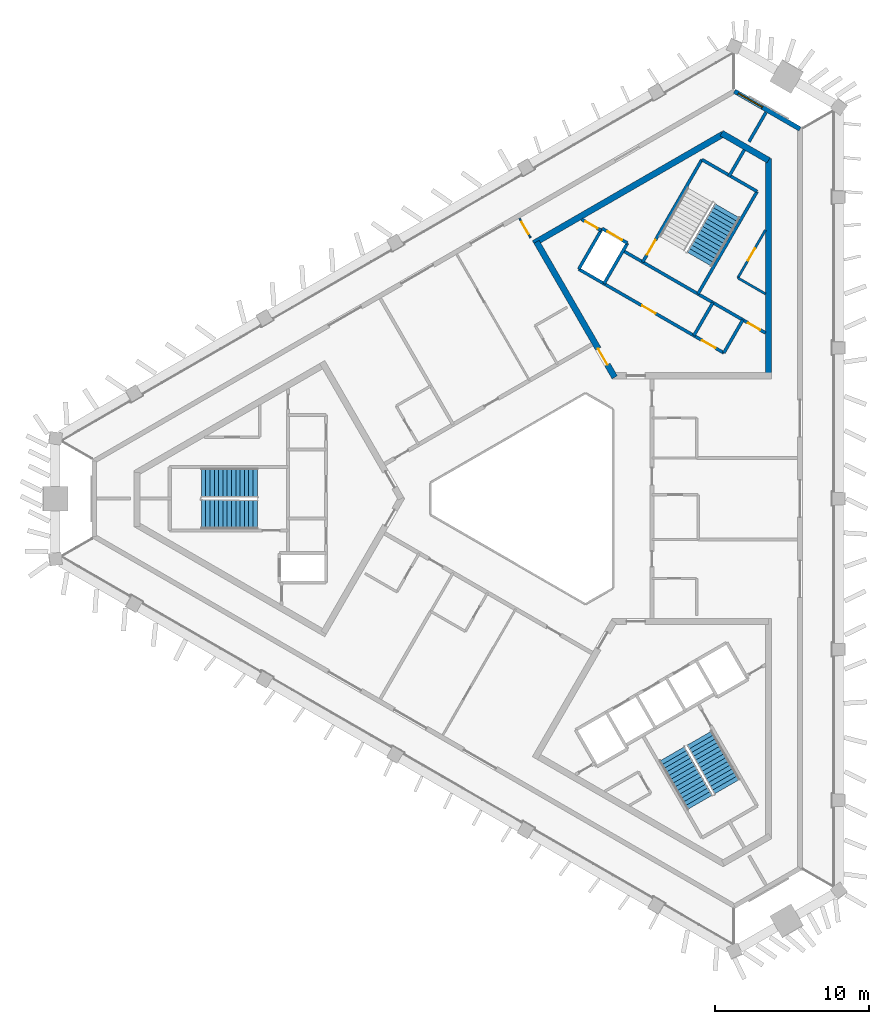
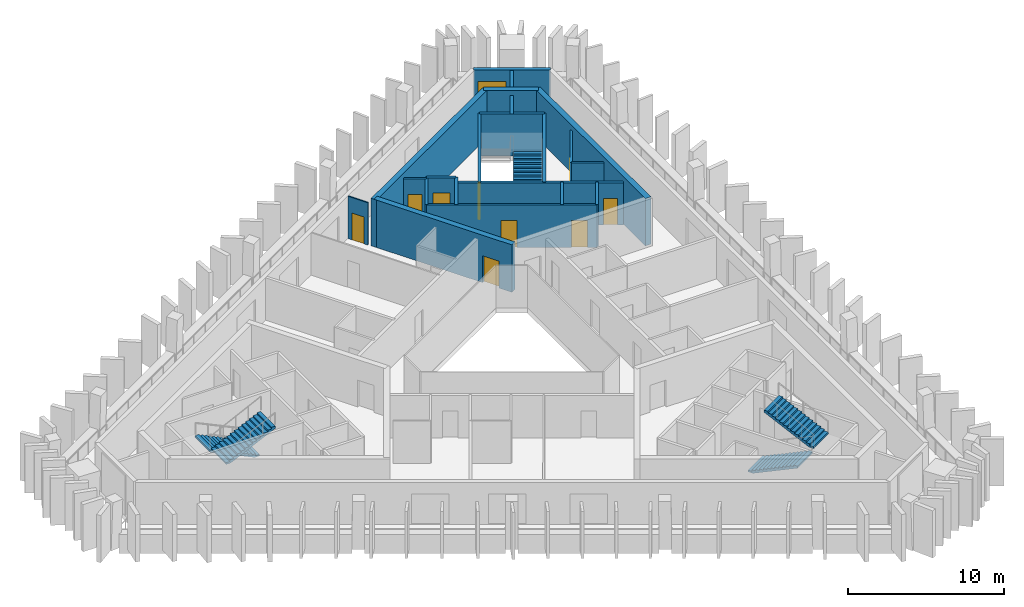
# One storey, part 5 of 10: 21 walls, 9 doors, 5 stair flights, 1 window, 10 openings, 3 elements without a shape of their own.
"""IFC4 building model written with IfcOpenShell, lengths in metres."""

from ifc_helpers import new_model, si_unit, direction, frame, frame_2d, origin, place, context, subcontext, project, spatial, polyline, rectangle, outline, extrude, material, layer, layer_set, type_object, element, fill, aggregate, save


model = new_model("IFC4")

# Units and contexts
model_context = context("Model", 3, precision=1e-05, world=origin(), true_north=direction((0.0, 1.0)))
body_context = subcontext(model_context, "Body", "Model", "MODEL_VIEW")
ifc_project = project(units=[si_unit("LENGTHUNIT", "METRE"), si_unit("AREAUNIT", "SQUARE_METRE"), si_unit("VOLUMEUNIT", "CUBIC_METRE"), si_unit("PLANEANGLEUNIT", "RADIAN"), si_unit("MASSUNIT", "GRAM", prefix="KILO")], contexts=[model_context])

# Site, building, storey
site_placement = place(None, origin())
site = spatial("IfcSite", under=ifc_project, at=site_placement, CompositionType="ELEMENT")
building_placement = place(site_placement, origin())
building = spatial("IfcBuilding", under=site, at=building_placement, Name="Jabali Bay Hotel Tower and Convention Centre", CompositionType="ELEMENT")
storey_placement = place(building_placement, frame((0.0, 0.0, 266.39990234375)))
storey = spatial("IfcBuildingStorey", under=building, at=storey_placement, Name="L65", CompositionType="ELEMENT", Elevation=266.39990234375)

# Wall
ifc_material_1 = material(Name="Concrete C40", Category="concrete")
ifc_layer_1 = layer(ifc_material_1, 0.199951171875)
ifc_layer_set_1 = layer_set([ifc_layer_1], Name="Concrete C40")
wall_type_1 = type_object("IfcWallType", Name="Core partition wall 200", PredefinedType="PARTITIONING", material=ifc_layer_set_1)
wall_1_placement = place(storey_placement, frame((87.090087890625, 100.9404296875, 0.0), z_axis=(0.0, 0.0, 1.0), x_axis=(0.499941815747, 0.866058993873, 0.0)))
element("IfcWall", 1, at=wall_1_placement, inside=storey, type_object=wall_type_1, Name="Core wall 1.4 L65", PredefinedType="PARTITIONING", context=body_context, shape_type="SweptSolid", body=[
    extrude(rectangle(XDim=2.023193359375, YDim=0.199951171875, at=frame_2d((1.01171875, 0.0))), origin(), (0.0, 0.0, 1.0), 3.300048828125),
])

# Wall, opening, door
wall_2_placement = place(storey_placement, frame((78.7802734375, 97.447509765625, 0.0), z_axis=(0.0, 0.0, 1.0), x_axis=(-0.866045896294, 0.499964504253, 0.0)))
wall_2 = element("IfcWall", 2, at=wall_2_placement, inside=storey, type_object=wall_type_1, Name="Core wall 1.10 L65", PredefinedType="PARTITIONING", context=body_context, shape_type="SweptSolid", body=[
    extrude(rectangle(XDim=1.455078125, YDim=0.199951171875, at=frame_2d((0.7275390625, 0.0))), origin(), (0.0, 0.0, 1.0), 3.300048828125),
])
opening_1_placement = place(wall_2_placement, frame((0.277587890625, 0.0, 0.0)))
opening_1 = element("IfcOpeningElement", 3, at=opening_1_placement, cuts=wall_2, Name="Opening D1435", PredefinedType="OPENING", context=body_context, shape_type="SweptSolid", body=[
    extrude(rectangle(XDim=0.89990234375, YDim=2.10009765625, at=frame_2d((0.449951171875, 1.050048828125))), frame((0.0, 0.1103515625, 0.0), z_axis=(0.0, -1.0, 0.0), x_axis=(1.0, 0.0, 0.0)), (0.0, 0.0, 1.0), 0.220947265625),
])
ifc_material_2 = material(Name="Fire-rated steel door", Category="steel")
door_type_1 = type_object("IfcDoorType", Name="Vestibule fire door 900 x 2100", OperationType="NOTDEFINED", PredefinedType="NOTDEFINED", material=ifc_material_2)
door_1_placement = place(opening_1_placement, origin())
door_1 = element("IfcDoor", 4, at=door_1_placement, inside=storey, type_object=door_type_1, Name="Vestibule fire door D1435", OperationType="SINGLE_SWING_LEFT", OverallHeight=2.10009765625, OverallWidth=0.89990234375, PredefinedType="NOTDEFINED", context=body_context, shape_type="SweptSolid", body=[
    extrude(rectangle(XDim=0.89990234375, YDim=2.10009765625, at=frame_2d((0.449951171875, 1.050048828125))), frame((0.0, 0.02490234375, 0.0), z_axis=(0.0, -1.0, 0.0), x_axis=(1.0, 0.0, 0.0)), (0.0, 0.0, 1.0), 0.050048828125),
])
fill(opening_1, door_1)

ifc_material_3 = material(Name="Fire-rated board partition")
ifc_layer_2 = layer(ifc_material_3, 0.14990234375)
ifc_layer_set_2 = layer_set([ifc_layer_2], Name="Fire-rated board partition")
wall_type_2 = type_object("IfcWallType", Name="Core room partition 150", PredefinedType="PARTITIONING", material=ifc_layer_set_2)
wall_3_placement = place(storey_placement, frame((87.680908203125, 94.364013671875, 0.0), z_axis=(0.0, 0.0, 1.0), x_axis=(0.500014173611, 0.866017220491, 0.0)))
wall_3 = element("IfcWall", 5, at=wall_3_placement, inside=storey, type_object=wall_type_2, Name="Core wall 1.1 L65", PredefinedType="PARTITIONING", context=body_context, shape_type="SweptSolid", body=[
    extrude(rectangle(XDim=3.59814453125, YDim=0.14990234375, at=frame_2d((1.799072265625, 0.0))), origin(), (0.0, 0.0, 1.0), 3.300048828125),
])
opening_2_placement = place(wall_3_placement, frame((1.321533203125, 0.0, 0.0)))
opening_2 = element("IfcOpeningElement", 6, at=opening_2_placement, cuts=wall_3, Name="Opening D1438", PredefinedType="OPENING", context=body_context, shape_type="SweptSolid", body=[
    extrude(rectangle(XDim=0.89990234375, YDim=2.10009765625, at=frame_2d((0.449951171875, 1.050048828125))), frame((0.0, 0.08544921875, 0.0), z_axis=(0.0, -1.0, 0.0), x_axis=(1.0, 0.0, 0.0)), (0.0, 0.0, 1.0), 0.1708984375),
])
door_type_2 = type_object("IfcDoorType", Name="Core room door 900 x 2100", OperationType="NOTDEFINED", PredefinedType="NOTDEFINED", material=ifc_material_2)
door_2_placement = place(opening_2_placement, origin())
door_2 = element("IfcDoor", 7, at=door_2_placement, inside=storey, type_object=door_type_2, Name="Core room door D1438", OperationType="SINGLE_SWING_LEFT", OverallHeight=2.10009765625, OverallWidth=0.89990234375, PredefinedType="NOTDEFINED", context=body_context, shape_type="SweptSolid", body=[
    extrude(rectangle(XDim=0.89990234375, YDim=2.10009765625, at=frame_2d((0.449951171875, 1.050048828125))), frame((0.0, 0.02490234375, 0.0), z_axis=(0.0, -1.0, 0.0), x_axis=(1.0, 0.0, 0.0)), (0.0, 0.0, 1.0), 0.050048828125),
])
fill(opening_2, door_2)

# Walls
wall_4_placement = place(storey_placement, frame((89.47998046875, 93.3251953125, 0.0), z_axis=(0.0, 0.0, 1.0), x_axis=(-0.865999660441, 0.500044586128, 0.0)))
element("IfcWall", 8, at=wall_4_placement, inside=storey, type_object=wall_type_2, Name="Core wall 1.12 L65", PredefinedType="PARTITIONING", context=body_context, shape_type="SweptSolid", body=[
    extrude(rectangle(XDim=2.077392578125, YDim=0.14990234375, at=frame_2d((1.03857421875, 0.0))), origin(), (0.0, 0.0, 1.0), 3.300048828125),
])
ifc_layer_3 = layer(ifc_material_1, 0.199951171875)
ifc_layer_set_3 = layer_set([ifc_layer_3], Name="Concrete C40")
wall_type_3 = type_object("IfcWallType", Name="Core stair wall 200", PredefinedType="SOLIDWALL", material=ifc_layer_set_3)
for number, where, z_axis, x_axis, name in (
    (9, (86.769775390625, 89.48583984375, 0.0), (0.0, 0.0, 1.0), (0.499961042966, 0.86604789447, 0.0), "Core wall 1.0 L65"),
    (10, (84.8212890625, 90.61083984375, 0.0), (0.0, 0.0, 1.0), (0.499961042966, 0.86604789447, 0.0), "Core wall 1.2 L65"),
):
    element("IfcWall", number, at=place(storey_placement, frame(where, z_axis=z_axis, x_axis=x_axis)), inside=storey, type_object=wall_type_3, Name=name, PredefinedType="SOLIDWALL", context=body_context, shape_type="SweptSolid", body=[
        extrude(rectangle(XDim=2.480224609375, YDim=0.199951171875, at=frame_2d((1.240234375, 0.0))), origin(), (0.0, 0.0, 1.0), 3.300048828125),
    ])
wall_5_placement = place(storey_placement, frame((85.0869140625, 93.3212890625, 0.0), z_axis=(0.0, 0.0, 1.0), x_axis=(0.500019787375, 0.866013979237, 0.0)))
element("IfcWall", 11, at=wall_5_placement, inside=storey, type_object=wall_type_3, Name="Core wall 1.3 L65", PredefinedType="SOLIDWALL", context=body_context, shape_type="SweptSolid", body=[
    extrude(rectangle(XDim=7.699951171875, YDim=0.199951171875, at=frame_2d((3.85009765625, 0.0))), origin(), (0.0, 0.0, 1.0), 3.300048828125),
])

# Wall, opening, door
wall_6_placement = place(storey_placement, frame((81.492919921875, 95.396240234375, 0.0), z_axis=(0.0, 0.0, 1.0), x_axis=(0.500006057782, 0.866021906294, 0.0)))
wall_6 = element("IfcWall", 12, at=wall_6_placement, inside=storey, type_object=wall_type_3, Name="Core wall 1.5 L65", PredefinedType="SOLIDWALL", context=body_context, shape_type="SweptSolid", body=[
    extrude(rectangle(XDim=7.7001953125, YDim=0.199951171875, at=frame_2d((3.85009765625, 0.0))), origin(), (0.0, 0.0, 1.0), 3.300048828125),
])
opening_3_placement = place(wall_6_placement, frame((0.550048828125, 0.0, 0.0)))
opening_3 = element("IfcOpeningElement", 13, at=opening_3_placement, cuts=wall_6, Name="Opening D1437", PredefinedType="OPENING", context=body_context, shape_type="SweptSolid", body=[
    extrude(rectangle(XDim=1.10009765625, YDim=2.10009765625, at=frame_2d((0.550048828125, 1.050048828125))), frame((0.0, 0.1103515625, 0.0), z_axis=(0.0, -1.0, 0.0), x_axis=(1.0, 0.0, 0.0)), (0.0, 0.0, 1.0), 0.220947265625),
])
door_type_3 = type_object("IfcDoorType", Name="Stair fire door 1100 x 2100", OperationType="NOTDEFINED", PredefinedType="NOTDEFINED", material=ifc_material_2)
door_3_placement = place(opening_3_placement, origin())
door_3 = element("IfcDoor", 14, at=door_3_placement, inside=storey, type_object=door_type_3, Name="Stair fire door D1437", OperationType="SINGLE_SWING_RIGHT", OverallHeight=2.10009765625, OverallWidth=1.10009765625, PredefinedType="NOTDEFINED", context=body_context, shape_type="SweptSolid", body=[
    extrude(rectangle(XDim=1.10009765625, YDim=2.10009765625, at=frame_2d((0.550048828125, 1.050048828125))), frame((0.0, 0.02490234375, 0.0), z_axis=(0.0, -1.0, 0.0), x_axis=(1.0, 0.0, 0.0)), (0.0, 0.0, 1.0), 0.050048828125),
])
fill(opening_3, door_3)

# Walls
for number, where, z_axis, x_axis, name in (
    (15, (78.9755859375, 93.98583984375, 0.0), (0.0, 0.0, 1.0), (0.499944174705, 0.866057632134, 0.0), "Core wall 1.6 L65"),
    (16, (77.330078125, 94.93603515625, 0.0), (0.0, 0.0, 1.0), (0.500038867431, 0.8660029625, 0.0), "Core wall 1.7 L65"),
):
    element("IfcWall", number, at=place(storey_placement, frame(where, z_axis=z_axis, x_axis=x_axis)), inside=storey, type_object=wall_type_3, Name=name, PredefinedType="SOLIDWALL", context=body_context, shape_type="SweptSolid", body=[
        extrude(rectangle(XDim=3.050048828125, YDim=0.199951171875, at=frame_2d((1.52490234375, 0.0))), origin(), (0.0, 0.0, 1.0), 3.300048828125),
    ])

# Wall, openings, doors
wall_7_placement = place(storey_placement, frame((86.769775390625, 89.48583984375, 0.0), z_axis=(0.0, 0.0, 1.0), x_axis=(-0.86601811187, 0.500012629753, 0.0)))
wall_7 = element("IfcWall", 17, at=wall_7_placement, inside=storey, type_object=wall_type_3, Name="Core wall 1.8 L65", PredefinedType="SOLIDWALL", context=body_context, shape_type="SweptSolid", body=[
    extrude(rectangle(XDim=10.900146484375, YDim=0.199951171875, at=frame_2d((5.4501953125, 0.0))), origin(), (0.0, 0.0, 1.0), 3.300048828125),
])
opening_4_placement = place(wall_7_placement, frame((0.625, 0.0, 0.0)))
opening_4 = element("IfcOpeningElement", 18, at=opening_4_placement, cuts=wall_7, Name="Opening D1433", PredefinedType="OPENING", context=body_context, shape_type="SweptSolid", body=[
    extrude(rectangle(XDim=1.0, YDim=2.10009765625, at=frame_2d((0.5, 1.050048828125))), frame((0.0, 0.1103515625, 0.0), z_axis=(0.0, -1.0, 0.0), x_axis=(1.0, 0.0, 0.0)), (0.0, 0.0, 1.0), 0.220947265625),
])
opening_5_placement = place(wall_7_placement, frame((5.125, 0.0, 0.0)))
opening_5 = element("IfcOpeningElement", 19, at=opening_5_placement, cuts=wall_7, Name="Opening D1434", PredefinedType="OPENING", context=body_context, shape_type="SweptSolid", body=[
    extrude(rectangle(XDim=1.0, YDim=2.10009765625, at=frame_2d((0.5, 1.050048828125))), frame((0.0, 0.1103515625, 0.0), z_axis=(0.0, -1.0, 0.0), x_axis=(1.0, 0.0, 0.0)), (0.0, 0.0, 1.0), 0.220947265625),
])
door_type_4 = type_object("IfcDoorType", Name="Core room door 1000 x 2100", OperationType="NOTDEFINED", PredefinedType="NOTDEFINED", material=ifc_material_2)
door_4_placement = place(opening_4_placement, origin())
door_4 = element("IfcDoor", 20, at=door_4_placement, inside=storey, type_object=door_type_4, Name="Core room door D1433", OperationType="SINGLE_SWING_RIGHT", OverallHeight=2.10009765625, OverallWidth=1.0, PredefinedType="NOTDEFINED", context=body_context, shape_type="SweptSolid", body=[
    extrude(rectangle(XDim=1.0, YDim=2.10009765625, at=frame_2d((0.5, 1.050048828125))), frame((0.0, 0.02490234375, 0.0), z_axis=(0.0, -1.0, 0.0), x_axis=(1.0, 0.0, 0.0)), (0.0, 0.0, 1.0), 0.050048828125),
])
fill(opening_4, door_4)
door_5_placement = place(opening_5_placement, origin())
door_5 = element("IfcDoor", 21, at=door_5_placement, inside=storey, type_object=door_type_4, Name="Core room door D1434", OperationType="SINGLE_SWING_RIGHT", OverallHeight=2.10009765625, OverallWidth=1.0, PredefinedType="NOTDEFINED", context=body_context, shape_type="SweptSolid", body=[
    extrude(rectangle(XDim=1.0, YDim=2.10009765625, at=frame_2d((0.5, 1.050048828125))), frame((0.0, 0.02490234375, 0.0), z_axis=(0.0, -1.0, 0.0), x_axis=(1.0, 0.0, 0.0)), (0.0, 0.0, 1.0), 0.050048828125),
])
fill(opening_5, door_5)

# Wall, opening, door
wall_8_placement = place(storey_placement, frame((89.47998046875, 90.784912109375, 0.0), z_axis=(0.0, 0.0, 1.0), x_axis=(-0.866022544512, 0.500004952373, 0.0)))
wall_8 = element("IfcWall", 22, at=wall_8_placement, inside=storey, type_object=wall_type_3, Name="Core wall 1.9 L65", PredefinedType="SOLIDWALL", context=body_context, shape_type="SweptSolid", body=[
    extrude(rectangle(XDim=10.69775390625, YDim=0.199951171875, at=frame_2d((5.348876953125, 0.0))), origin(), (0.0, 0.0, 1.0), 3.300048828125),
])
opening_6_placement = place(wall_8_placement, frame((0.398681640625, 0.0, 0.0)))
opening_6 = element("IfcOpeningElement", 23, at=opening_6_placement, cuts=wall_8, Name="Opening D1436", PredefinedType="OPENING", context=body_context, shape_type="SweptSolid", body=[
    extrude(rectangle(XDim=0.89990234375, YDim=2.10009765625, at=frame_2d((0.449951171875, 1.050048828125))), frame((0.0, 0.1103515625, 0.0), z_axis=(0.0, -1.0, 0.0), x_axis=(1.0, 0.0, 0.0)), (0.0, 0.0, 1.0), 0.220947265625),
])
door_6_placement = place(opening_6_placement, origin())
door_6 = element("IfcDoor", 24, at=door_6_placement, inside=storey, type_object=door_type_1, Name="Vestibule fire door D1436", OperationType="SINGLE_SWING_LEFT", OverallHeight=2.10009765625, OverallWidth=0.89990234375, PredefinedType="NOTDEFINED", context=body_context, shape_type="SweptSolid", body=[
    extrude(rectangle(XDim=0.89990234375, YDim=2.10009765625, at=frame_2d((0.449951171875, 1.050048828125))), frame((0.0, 0.02490234375, 0.0), z_axis=(0.0, -1.0, 0.0), x_axis=(1.0, 0.0, 0.0)), (0.0, 0.0, 1.0), 0.050048828125),
])
fill(opening_6, door_6)

wall_9_placement = place(storey_placement, frame((80.50048828125, 96.62744140625, 0.0), z_axis=(0.0, 0.0, 1.0), x_axis=(-0.86601224135, 0.500022797313, 0.0)))
wall_9 = element("IfcWall", 25, at=wall_9_placement, inside=storey, type_object=wall_type_3, Name="Core wall 1.11 L65", PredefinedType="SOLIDWALL", context=body_context, shape_type="SweptSolid", body=[
    extrude(rectangle(XDim=1.89990234375, YDim=0.199951171875, at=frame_2d((0.949951171875, 0.0))), origin(), (0.0, 0.0, 1.0), 3.300048828125),
])
opening_7_placement = place(wall_9_placement, frame((0.39990234375, 0.0, 0.0)))
opening_7 = element("IfcOpeningElement", 26, at=opening_7_placement, cuts=wall_9, Name="Opening LD10-L65", PredefinedType="OPENING", context=body_context, shape_type="SweptSolid", body=[
    extrude(rectangle(XDim=1.10009765625, YDim=2.10009765625, at=frame_2d((0.550048828125, 1.050048828125))), frame((0.0, 0.1103515625, 0.0), z_axis=(0.0, -1.0, 0.0), x_axis=(1.0, 0.0, 0.0)), (0.0, 0.0, 1.0), 0.220947265625),
])
ifc_material_4 = material(Name="Stainless steel landing door", Category="steel")
door_type_5 = type_object("IfcDoorType", Name="Landing door 1100 x 2100", OperationType="NOTDEFINED", PredefinedType="NOTDEFINED", material=ifc_material_4)
door_7_placement = place(opening_7_placement, origin())
door_7 = element("IfcDoor", 27, at=door_7_placement, inside=storey, type_object=door_type_5, Name="Landing doors LD10-L65", OperationType="SLIDING_TO_RIGHT", OverallHeight=2.10009765625, OverallWidth=1.10009765625, PredefinedType="NOTDEFINED", context=body_context, shape_type="SweptSolid", body=[
    extrude(rectangle(XDim=1.10009765625, YDim=2.10009765625, at=frame_2d((0.550048828125, 1.050048828125))), frame((0.0, 0.02490234375, 0.0), z_axis=(0.0, -1.0, 0.0), x_axis=(1.0, 0.0, 0.0)), (0.0, 0.0, 1.0), 0.050048828125),
])
fill(opening_7, door_7)

# Walls
wall_10_placement = place(storey_placement, frame((88.93701171875, 99.989501953125, 0.0), z_axis=(0.0, 0.0, 1.0), x_axis=(-0.866004344652, 0.500036473714, 0.0)))
element("IfcWall", 28, at=wall_10_placement, inside=storey, type_object=wall_type_3, Name="Core wall 1.13 L65", PredefinedType="SOLIDWALL", context=body_context, shape_type="SweptSolid", body=[
    extrude(rectangle(XDim=4.150146484375, YDim=0.199951171875, at=frame_2d((2.0751953125, 0.0))), origin(), (0.0, 0.0, 1.0), 3.300048828125),
])
ifc_material_5 = material(Name="Concrete C60", Category="concrete")
ifc_layer_4 = layer(ifc_material_5, 0.39990234375)
ifc_layer_set_4 = layer_set([ifc_layer_4], Name="Concrete C60")
wall_type_4 = type_object("IfcWallType", Name="Core wall 400", PredefinedType="SHEAR", material=ifc_layer_set_4)
wall_11_placement = place(storey_placement, frame((89.679931640625, 87.994140625, 0.0), z_axis=(0.0, 0.0, 1.0), x_axis=(0.0, 1.0, 0.0)))
element("IfcWall", 29, at=wall_11_placement, inside=storey, type_object=wall_type_4, Name="Core wall 2.2 L65", PredefinedType="SHEAR", context=body_context, shape_type="SweptSolid", body=[
    extrude(rectangle(XDim=14.133544921875, YDim=0.39990234375, at=frame_2d((7.06689453125, 0.0))), origin(), (0.0, 0.0, 1.0), 3.7001953125),
])
wall_12_placement = place(storey_placement, frame((89.679931640625, 102.01220703125, 0.0), z_axis=(0.0, 0.0, 1.0), x_axis=(-0.866025485263, 0.499999858875, 0.0)))
element("IfcWall", 30, at=wall_12_placement, inside=storey, type_object=wall_type_4, Name="Core wall 2.3 L65", PredefinedType="SHEAR", context=body_context, shape_type="SweptSolid", body=[
    extrude(rectangle(XDim=3.52978515625, YDim=0.39990234375, at=frame_2d((1.764892578125, 0.0))), origin(), (0.0, 0.0, 1.0), 3.7001953125),
])
wall_13_placement = place(storey_placement, frame((86.72314453125, 103.71923828125, 0.0), z_axis=(0.0, 0.0, 1.0), x_axis=(-0.866030317223, -0.499991489579, 0.0)))
element("IfcWall", 31, at=wall_13_placement, inside=storey, type_object=wall_type_4, Name="Core wall 2.4 L65", PredefinedType="SHEAR", context=body_context, shape_type="SweptSolid", body=[
    extrude(rectangle(XDim=14.218017578125, YDim=0.39990234375, at=frame_2d((7.10888671875, 0.0))), origin(), (0.0, 0.0, 1.0), 3.7001953125),
])

# Wall, opening, door
wall_14_placement = place(storey_placement, frame((74.583251953125, 96.71044921875, 0.0), z_axis=(0.0, 0.0, 1.0), x_axis=(0.499987488796, -0.866032627011, 0.0)))
wall_14 = element("IfcWall", 32, at=wall_14_placement, inside=storey, type_object=wall_type_4, Name="Core wall 2.5 L65", PredefinedType="SHEAR", context=body_context, shape_type="SweptSolid", body=[
    extrude(rectangle(XDim=10.179931640625, YDim=0.39990234375, at=frame_2d((5.08984375, 0.0))), origin(), (0.0, 0.0, 1.0), 3.7001953125),
])
opening_8_placement = place(wall_14_placement, frame((8.030029296875, 0.0, 0.0)))
opening_8 = element("IfcOpeningElement", 33, at=opening_8_placement, cuts=wall_14, Name="Opening D1432", PredefinedType="OPENING", context=body_context, shape_type="SweptSolid", body=[
    extrude(rectangle(XDim=1.199951171875, YDim=2.10009765625, at=frame_2d((0.60009765625, 1.050048828125))), frame((0.0, 0.21044921875, 0.0), z_axis=(0.0, -1.0, 0.0), x_axis=(1.0, 0.0, 0.0)), (0.0, 0.0, 1.0), 0.4208984375),
])
door_type_6 = type_object("IfcDoorType", Name="Corridor end fire door 1200 x 2100", OperationType="NOTDEFINED", PredefinedType="NOTDEFINED", material=ifc_material_2)
door_8_placement = place(opening_8_placement, origin())
door_8 = element("IfcDoor", 34, at=door_8_placement, inside=storey, type_object=door_type_6, Name="Corridor end fire door D1432", OperationType="SINGLE_SWING_LEFT", OverallHeight=2.10009765625, OverallWidth=1.199951171875, PredefinedType="NOTDEFINED", context=body_context, shape_type="SweptSolid", body=[
    extrude(rectangle(XDim=1.199951171875, YDim=2.10009765625, at=frame_2d((0.60009765625, 1.050048828125))), frame((0.0, 0.02490234375, 0.0), z_axis=(0.0, -1.0, 0.0), x_axis=(1.0, 0.0, 0.0)), (0.0, 0.0, 1.0), 0.050048828125),
])
fill(opening_8, door_8)

# Wall, opening, window
ifc_layer_5 = layer(ifc_material_1, 0.300048828125)
ifc_layer_set_5 = layer_set([ifc_layer_5], Name="Concrete C40")
wall_type_5 = type_object("IfcWallType", Name="External wall 300", PredefinedType="SOLIDWALL", material=ifc_layer_set_5)
wall_15_placement = place(storey_placement, frame((87.4658203125, 106.51220703125, 0.0), z_axis=(0.0, 0.0, 1.0), x_axis=(0.866039345566, -0.499975851348, 0.0)))
wall_15 = element("IfcWall", 35, at=wall_15_placement, inside=storey, type_object=wall_type_5, Name="External wall north-east chamfer L65", PredefinedType="SOLIDWALL", context=body_context, shape_type="SweptSolid", body=[
    extrude(rectangle(XDim=4.920654296875, YDim=0.300048828125, at=frame_2d((2.46044921875, 0.0))), origin(), (0.0, 0.0, 1.0), 3.300048828125),
])
opening_9_placement = place(wall_15_placement, frame((0.286865234375, 0.0, 0.89990234375)))
opening_9 = element("IfcOpeningElement", 36, at=opening_9_placement, cuts=wall_15, Name="Opening W1", PredefinedType="OPENING", context=body_context, shape_type="SweptSolid", body=[
    extrude(rectangle(XDim=1.800048828125, YDim=1.5, at=frame_2d((0.89990234375, 0.75))), frame((0.0, 0.16064453125, 0.0), z_axis=(0.0, -1.0, 0.0), x_axis=(1.0, 0.0, 0.0)), (0.0, 0.0, 1.0), 0.321044921875),
])
ifc_material_6 = material(Name="Glass", Category="glass")
window_type = type_object("IfcWindowType", Name="Window 1800 x 1500", PartitioningType="SINGLE_PANEL", PredefinedType="WINDOW", material=ifc_material_6)
window_placement = place(opening_9_placement, origin())
window = element("IfcWindow", 37, at=window_placement, inside=storey, type_object=window_type, Name="Window", OverallHeight=1.5, OverallWidth=1.800048828125, PartitioningType="SINGLE_PANEL", PredefinedType="WINDOW", context=body_context, shape_type="SweptSolid", body=[
    extrude(rectangle(XDim=1.800048828125, YDim=1.5, at=frame_2d((0.89990234375, 0.75))), frame((0.0, 0.030029296875, 0.0), z_axis=(0.0, -1.0, 0.0), x_axis=(1.0, 0.0, 0.0)), (0.0, 0.0, 1.0), 0.06005859375),
])
fill(opening_9, window)

# Wall, opening, door
ifc_material_7 = material(Name="Plasterboard on steel stud", Category="steel")
ifc_layer_6 = layer(ifc_material_7, 0.10009765625)
ifc_layer_set_6 = layer_set([ifc_layer_6], Name="Plasterboard on steel stud")
wall_type_6 = type_object("IfcWallType", Name="Partition 100 unit", PredefinedType="PARTITIONING", material=ifc_layer_set_6)
wall_16_placement = place(storey_placement, frame((74.199951171875, 96.97412109375, 0.0), z_axis=(0.0, 0.0, 1.0), x_axis=(-0.499959343224, 0.866048875712, 0.0)))
wall_16 = element("IfcWall", 38, at=wall_16_placement, inside=storey, type_object=wall_type_6, Name="Partition P02 L65 016", PredefinedType="PARTITIONING", context=body_context, shape_type="SweptSolid", body=[
    extrude(rectangle(XDim=1.45703125, YDim=0.10009765625, at=frame_2d((0.728515625, 0.0))), origin(), (0.0, 0.0, 1.0), 3.300048828125),
])
opening_10_placement = place(wall_16_placement, frame((0.279052734375, 0.0, 0.0)))
opening_10 = element("IfcOpeningElement", 39, at=opening_10_placement, cuts=wall_16, Name="Opening 6517", PredefinedType="OPENING", context=body_context, shape_type="SweptSolid", body=[
    extrude(rectangle(XDim=0.89990234375, YDim=2.10009765625, at=frame_2d((0.449951171875, 1.050048828125))), frame((0.0, 0.060546875, 0.0), z_axis=(0.0, -1.0, 0.0), x_axis=(1.0, 0.0, 0.0)), (0.0, 0.0, 1.0), 0.12109375),
])
ifc_material_8 = material(Name="Timber", Category="wood")
door_type_7 = type_object("IfcDoorType", Name="Internal door 900 x 2100", OperationType="NOTDEFINED", PredefinedType="NOTDEFINED", material=ifc_material_8)
door_9_placement = place(opening_10_placement, origin())
door_9 = element("IfcDoor", 40, at=door_9_placement, inside=storey, type_object=door_type_7, Name="Door 6517", OperationType="SINGLE_SWING_RIGHT", OverallHeight=2.10009765625, OverallWidth=0.89990234375, PredefinedType="NOTDEFINED", context=body_context, shape_type="SweptSolid", body=[
    extrude(rectangle(XDim=0.89990234375, YDim=2.10009765625, at=frame_2d((0.449951171875, 1.050048828125))), frame((0.0, 0.02490234375, 0.0), z_axis=(0.0, -1.0, 0.0), x_axis=(1.0, 0.0, 0.0)), (0.0, 0.0, 1.0), 0.050048828125),
])
fill(opening_10, door_9)

# Wall
ifc_layer_7 = layer(ifc_material_7, 0.199951171875)
ifc_layer_set_7 = layer_set([ifc_layer_7], Name="Plasterboard on steel stud")
wall_type_7 = type_object("IfcWallType", Name="Partition 200 party", PredefinedType="PARTITIONING", material=ifc_layer_set_7)
wall_17_placement = place(storey_placement, frame((89.51171875, 105.135009765625, 0.0), z_axis=(0.0, 0.0, 1.0), x_axis=(-0.499981787252, -0.866035918664, 0.0)))
element("IfcWall", 41, at=wall_17_placement, inside=storey, type_object=wall_type_7, Name="Partition P01 L65 012", PredefinedType="PARTITIONING", context=body_context, shape_type="SweptSolid", body=[
    extrude(rectangle(XDim=2.2001953125, YDim=0.199951171875, at=frame_2d((1.10009765625, 0.0))), origin(), (0.0, 0.0, 1.0), 3.300048828125),
])

# Stair, stair flights
stair_type = type_object("IfcStairType", Name="Exit stair 1900", PredefinedType="HALF_TURN_STAIR", material=ifc_material_1)
stair_1_placement = place(storey_placement, origin())
stair_1 = element("IfcStair", 42, at=stair_1_placement, inside=storey, type_object=stair_type, Name="L65 Exit Stair 1", PredefinedType="HALF_TURN_STAIR")
stair_flight_type = type_object("IfcStairFlightType", Name="Stair flight concrete 150", PredefinedType="STRAIGHT", material=ifc_material_1)
stair_flight_1_placement = place(storey_placement, frame((56.419921875, 81.02490234375, 0.0), z_axis=(0.0, 0.0, 1.0), x_axis=(-1.0, 0.0, 0.0)))
stair_flight_1 = element("IfcStairFlight", 43, at=stair_flight_1_placement, type_object=stair_flight_type, Name="ST1 flight 1", NumberOfRisers=14, NumberOfTreads=13, PredefinedType="STRAIGHT", RiserHeight=0.132142857, TreadLength=0.28, context=body_context, shape_type="SweptSolid", body=[
    extrude(outline(polyline([(0.0, 0.0), (0.0, 0.132080078125), (0.280029296875, 0.132080078125), (0.280029296875, 0.264404296875), (0.56005859375, 0.264404296875), (0.56005859375, 0.396484375), (0.840087890625, 0.396484375), (0.840087890625, 0.528564453125), (1.1201171875, 0.528564453125), (1.1201171875, 0.66064453125), (1.39990234375, 0.66064453125), (1.39990234375, 0.79296875), (1.679931640625, 0.79296875), (1.679931640625, 0.925048828125), (1.9599609375, 0.925048828125), (1.9599609375, 1.05712890625), (2.239990234375, 1.05712890625), (2.239990234375, 1.189208984375), (2.52001953125, 1.189208984375), (2.52001953125, 1.321533203125), (2.800048828125, 1.321533203125), (2.800048828125, 1.45361328125), (3.080078125, 1.45361328125), (3.080078125, 1.585693359375), (3.360107421875, 1.585693359375), (3.360107421875, 1.7177734375), (3.639892578125, 1.7177734375), (3.639892578125, 1.85009765625), (3.639892578125, 1.552001953125), (0.351318359375, 0.0), (0.0, 0.0)])), frame((0.0, 0.949951171875, 0.0), z_axis=(0.0, -1.0, 0.0), x_axis=(1.0, 0.0, 0.0)), (0.0, 0.0, 1.0), 1.89990234375),
])
stair_flight_2_placement = place(storey_placement, frame((52.780029296875, 78.97509765625, 1.85009765625), z_axis=(0.0, 0.0, 1.0), x_axis=(1.0, 0.0, 0.0)))
stair_flight_2 = element("IfcStairFlight", 44, at=stair_flight_2_placement, type_object=stair_flight_type, Name="ST1 flight 2", NumberOfRisers=14, NumberOfTreads=13, PredefinedType="STRAIGHT", RiserHeight=0.132142857, TreadLength=0.28, context=body_context, shape_type="SweptSolid", body=[
    extrude(outline(polyline([(0.0, 0.0), (0.0, 0.132080078125), (0.280029296875, 0.132080078125), (0.280029296875, 0.264404296875), (0.56005859375, 0.264404296875), (0.56005859375, 0.396484375), (0.840087890625, 0.396484375), (0.840087890625, 0.528564453125), (1.1201171875, 0.528564453125), (1.1201171875, 0.66064453125), (1.39990234375, 0.66064453125), (1.39990234375, 0.79296875), (1.679931640625, 0.79296875), (1.679931640625, 0.925048828125), (1.9599609375, 0.925048828125), (1.9599609375, 1.05712890625), (2.239990234375, 1.05712890625), (2.239990234375, 1.189208984375), (2.52001953125, 1.189208984375), (2.52001953125, 1.321533203125), (2.800048828125, 1.321533203125), (2.800048828125, 1.45361328125), (3.080078125, 1.45361328125), (3.080078125, 1.585693359375), (3.360107421875, 1.585693359375), (3.360107421875, 1.7177734375), (3.639892578125, 1.7177734375), (3.639892578125, 1.85009765625), (3.639892578125, 1.552001953125), (0.351318359375, 0.0), (0.0, 0.0)])), frame((0.0, 0.949951171875, 0.0), z_axis=(0.0, -1.0, 0.0), x_axis=(1.0, 0.0, 0.0)), (0.0, 0.0, 1.0), 1.89990234375),
])
aggregate(stair_1, [stair_flight_1, stair_flight_2])

# Stair, stair flight
stair_2_placement = place(storey_placement, origin())
stair_2 = element("IfcStair", 45, at=stair_2_placement, inside=storey, type_object=stair_type, Name="L65 Exit Stair 2", PredefinedType="HALF_TURN_STAIR")
stair_flight_3_placement = place(storey_placement, frame((85.177734375, 95.578369140625, 0.0), z_axis=(0.0, 0.0, 1.0), x_axis=(0.5, 0.866025403784, 0.0)))
stair_flight_3 = element("IfcStairFlight", 46, at=stair_flight_3_placement, type_object=stair_flight_type, Name="ST2 flight 1", NumberOfRisers=14, NumberOfTreads=13, PredefinedType="STRAIGHT", RiserHeight=0.132142857, TreadLength=0.28, context=body_context, shape_type="SweptSolid", body=[
    extrude(outline(polyline([(0.0, 0.0), (0.0, 0.132080078125), (0.280029296875, 0.132080078125), (0.280029296875, 0.264404296875), (0.56005859375, 0.264404296875), (0.56005859375, 0.396484375), (0.840087890625, 0.396484375), (0.840087890625, 0.528564453125), (1.1201171875, 0.528564453125), (1.1201171875, 0.66064453125), (1.39990234375, 0.66064453125), (1.39990234375, 0.79296875), (1.679931640625, 0.79296875), (1.679931640625, 0.925048828125), (1.9599609375, 0.925048828125), (1.9599609375, 1.05712890625), (2.239990234375, 1.05712890625), (2.239990234375, 1.189208984375), (2.52001953125, 1.189208984375), (2.52001953125, 1.321533203125), (2.800048828125, 1.321533203125), (2.800048828125, 1.45361328125), (3.080078125, 1.45361328125), (3.080078125, 1.585693359375), (3.360107421875, 1.585693359375), (3.360107421875, 1.7177734375), (3.639892578125, 1.7177734375), (3.639892578125, 1.85009765625), (3.639892578125, 1.552001953125), (0.351318359375, 0.0), (0.0, 0.0)])), frame((0.0, 0.949951171875, 0.0), z_axis=(0.0, -1.0, 0.0), x_axis=(1.0, 0.0, 0.0)), (0.0, 0.0, 1.0), 1.89990234375),
])
aggregate(stair_2, [stair_flight_3])

# Stair, stair flights
stair_3_placement = place(storey_placement, origin())
stair_3 = element("IfcStair", 47, at=stair_3_placement, inside=storey, type_object=stair_type, Name="L65 Exit Stair 3", PredefinedType="HALF_TURN_STAIR")
stair_flight_4_placement = place(storey_placement, frame((83.40234375, 63.396728515625, 0.0), z_axis=(0.0, 0.0, 1.0), x_axis=(0.5, -0.866025403784, 0.0)))
stair_flight_4 = element("IfcStairFlight", 48, at=stair_flight_4_placement, type_object=stair_flight_type, Name="ST3 flight 1", NumberOfRisers=14, NumberOfTreads=13, PredefinedType="STRAIGHT", RiserHeight=0.132142857, TreadLength=0.28, context=body_context, shape_type="SweptSolid", body=[
    extrude(outline(polyline([(0.0, 0.0), (0.0, 0.132080078125), (0.280029296875, 0.132080078125), (0.280029296875, 0.264404296875), (0.56005859375, 0.264404296875), (0.56005859375, 0.396484375), (0.840087890625, 0.396484375), (0.840087890625, 0.528564453125), (1.1201171875, 0.528564453125), (1.1201171875, 0.66064453125), (1.39990234375, 0.66064453125), (1.39990234375, 0.79296875), (1.679931640625, 0.79296875), (1.679931640625, 0.925048828125), (1.9599609375, 0.925048828125), (1.9599609375, 1.05712890625), (2.239990234375, 1.05712890625), (2.239990234375, 1.189208984375), (2.52001953125, 1.189208984375), (2.52001953125, 1.321533203125), (2.800048828125, 1.321533203125), (2.800048828125, 1.45361328125), (3.080078125, 1.45361328125), (3.080078125, 1.585693359375), (3.360107421875, 1.585693359375), (3.360107421875, 1.7177734375), (3.639892578125, 1.7177734375), (3.639892578125, 1.85009765625), (3.639892578125, 1.552001953125), (0.351318359375, 0.0), (0.0, 0.0)])), frame((0.0, 0.949951171875, 0.0), z_axis=(0.0, -1.0, 0.0), x_axis=(1.0, 0.0, 0.0)), (0.0, 0.0, 1.0), 1.89990234375),
])
stair_flight_5_placement = place(storey_placement, frame((86.99755859375, 61.26953125, 1.85009765625), z_axis=(0.0, 0.0, 1.0), x_axis=(-0.5, 0.866025403784, 0.0)))
stair_flight_5 = element("IfcStairFlight", 49, at=stair_flight_5_placement, type_object=stair_flight_type, Name="ST3 flight 2", NumberOfRisers=14, NumberOfTreads=13, PredefinedType="STRAIGHT", RiserHeight=0.132142857, TreadLength=0.28, context=body_context, shape_type="SweptSolid", body=[
    extrude(outline(polyline([(0.0, 0.0), (0.0, 0.132080078125), (0.280029296875, 0.132080078125), (0.280029296875, 0.264404296875), (0.56005859375, 0.264404296875), (0.56005859375, 0.396484375), (0.840087890625, 0.396484375), (0.840087890625, 0.528564453125), (1.1201171875, 0.528564453125), (1.1201171875, 0.66064453125), (1.39990234375, 0.66064453125), (1.39990234375, 0.79296875), (1.679931640625, 0.79296875), (1.679931640625, 0.925048828125), (1.9599609375, 0.925048828125), (1.9599609375, 1.05712890625), (2.239990234375, 1.05712890625), (2.239990234375, 1.189208984375), (2.52001953125, 1.189208984375), (2.52001953125, 1.321533203125), (2.800048828125, 1.321533203125), (2.800048828125, 1.45361328125), (3.080078125, 1.45361328125), (3.080078125, 1.585693359375), (3.360107421875, 1.585693359375), (3.360107421875, 1.7177734375), (3.639892578125, 1.7177734375), (3.639892578125, 1.85009765625), (3.639892578125, 1.552001953125), (0.351318359375, 0.0), (0.0, 0.0)])), frame((0.0, 0.949951171875, 0.0), z_axis=(0.0, -1.0, 0.0), x_axis=(1.0, 0.0, 0.0)), (0.0, 0.0, 1.0), 1.89990234375),
])
aggregate(stair_3, [stair_flight_4, stair_flight_5])

save(model, "model.ifc")
